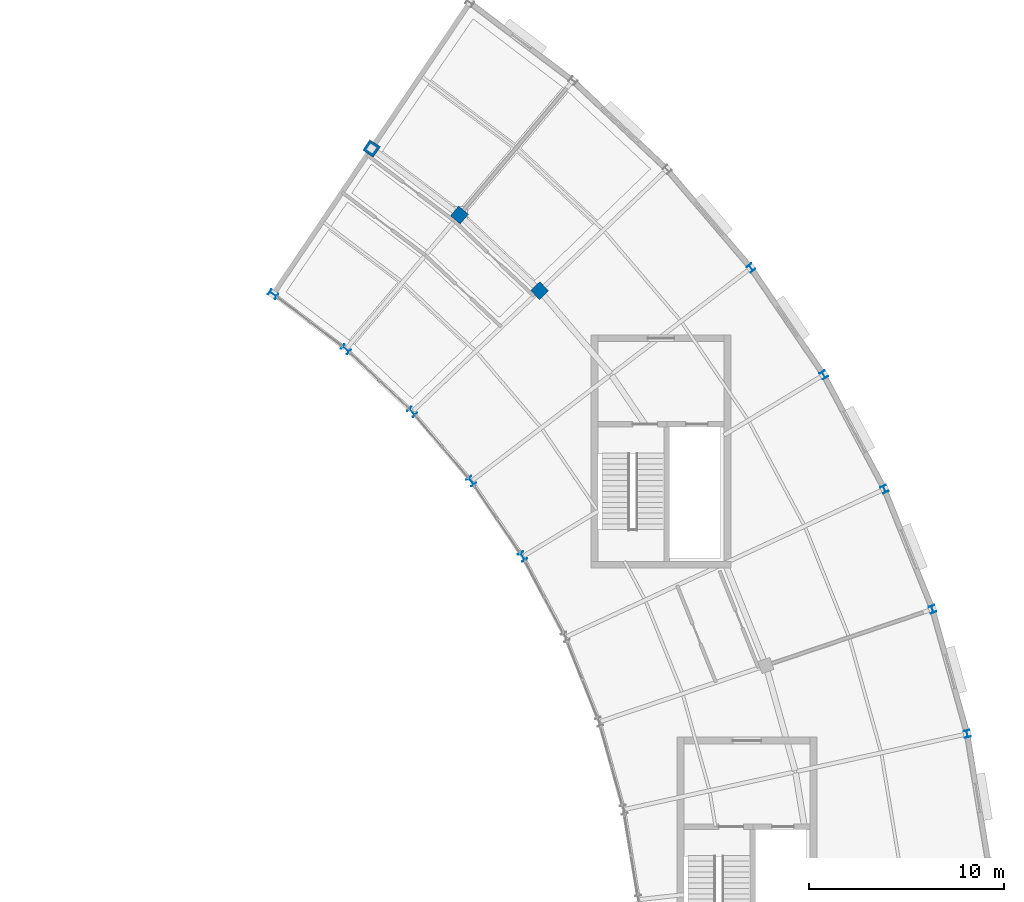
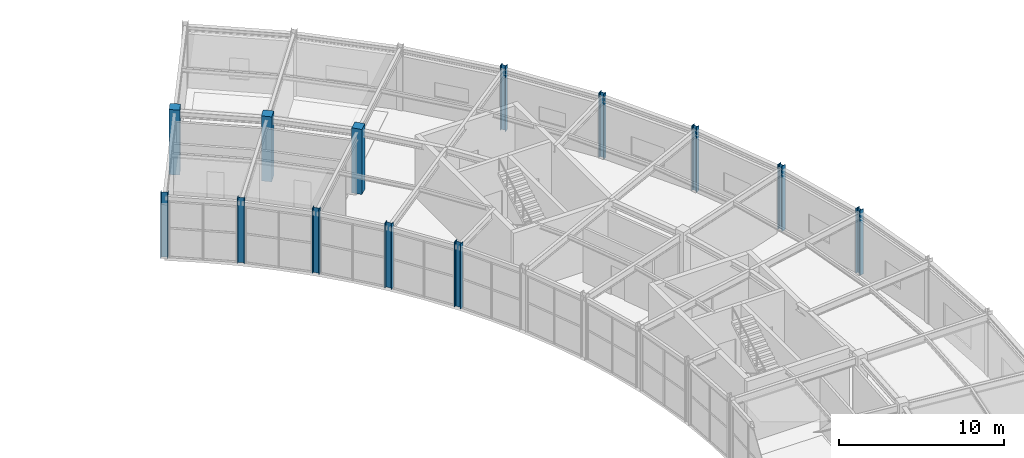
# One storey, part 14 of 108: 13 columns.
"""IFC4 building model written with IfcOpenShell, lengths in metres."""

from ifc_helpers import new_model, si_unit, direction, frame, origin, origin_2d, place, context, subcontext, project, spatial, rectangle, i_section, extrude, material, material_profile, profile_set, type_object, element, save


model = new_model("IFC4")

# Units and contexts
model_context = context("Model", 3, precision=1e-05, world=origin(), true_north=direction((0.0, 1.0)))
body_context = subcontext(model_context, "Body", "Model", "MODEL_VIEW")
ifc_project = project(units=[si_unit("LENGTHUNIT", "METRE"), si_unit("AREAUNIT", "SQUARE_METRE"), si_unit("VOLUMEUNIT", "CUBIC_METRE"), si_unit("PLANEANGLEUNIT", "RADIAN"), si_unit("MASSUNIT", "GRAM", prefix="KILO")], contexts=[model_context])

# Site, building, storey
site_placement = place(None, origin())
site = spatial("IfcSite", under=ifc_project, at=site_placement, CompositionType="ELEMENT")
building_placement = place(site_placement, origin())
building = spatial("IfcBuilding", under=site, at=building_placement, Name="Tarnveldt Headland Concert Hall", CompositionType="ELEMENT")
storey_placement = place(building_placement, frame((0.0, 0.0, 9.60009765625)))
storey = spatial("IfcBuildingStorey", under=building, at=storey_placement, Name="L02", CompositionType="ELEMENT", Elevation=9.60009765625)

# Columns
ifc_material_1 = material(Name="Concrete C40/50", Category="concrete")
ifc_material_profile_1 = material_profile(ifc_material_1, rectangle(XDim=0.64990234375, YDim=0.64990234375, at=origin_2d()), Name="RC 650x650", Category="concrete")
ifc_profile_set_1 = profile_set([ifc_material_profile_1], Name="Concrete C40/50")
column_type_1 = type_object("IfcColumnType", Name="CC-650", PredefinedType="COLUMN", material=ifc_profile_set_1)
for number, where, z_axis, x_axis, name in (
    (1, (155.184814453125, 95.8310546875, 0.0), (0.0, 0.0, 1.0), (0.724653130187, 0.689113808387, 0.0), "Column V3C16MD L02"),
    (2, (151.0791015625, 99.704345703125, 0.0), (0.0, 0.0, 1.0), (0.645724263505, 0.763570674869, 0.0), "Column V3C17MD L02"),
    (3, (146.577880859375, 103.110107421875, 0.0), (0.0, 0.0, 1.0), (0.559192903471, 0.829037572555, 0.0), "Column V3C18MD L02"),
):
    element("IfcColumn", number, at=place(storey_placement, frame(where, z_axis=z_axis, x_axis=x_axis)), inside=storey, type_object=column_type_1, Name=name, PredefinedType="COLUMN", context=body_context, shape_type="SweptSolid", body=[
        extrude(rectangle(XDim=0.64990234375, YDim=0.64990234375, at=origin_2d()), origin(), (0.0, 0.0, 1.0), 4.7998046875),
    ])
ifc_material_2 = material(Name="Steel S355", Category="steel")
ifc_material_profile_2 = material_profile(ifc_material_2, i_section(OverallWidth=0.300048828125, OverallDepth=0.360107421875, WebThickness=0.012451171875, FlangeThickness=0.0224609375, FilletRadius=0.027099609375, at=origin_2d()), Name="HEB360", Category="steel")
ifc_profile_set_2 = profile_set([ifc_material_profile_2], Name="Steel S355")
column_type_2 = type_object("IfcColumnType", Name="SC-HEB360", PredefinedType="COLUMN", material=ifc_profile_set_2)
for number, where, z_axis, x_axis, name in (
    (4, (177.06689453125, 73.14501953125, 0.0), (0.0, 0.0, 1.0), (0.976522126798, 0.215417120661, 0.0), "Column V3C11OUT L02"),
    (5, (175.291259765625, 79.523681640625, 0.0), (0.0, 0.0, 1.0), (0.947378020466, 0.320116988518, 0.0), "Column V3C12OUT L02"),
    (6, (172.834716796875, 85.672607421875, 0.0), (0.0, 0.0, 1.0), (0.907117485088, 0.42087749791, 0.0), "Column V3C13OUT L02"),
    (7, (169.726318359375, 91.518798828125, 0.0), (0.0, 0.0, 1.0), (0.856176919486, 0.516682767798, 0.0), "Column V3C14OUT L02"),
    (8, (166.00244140625, 96.993408203125, 0.0), (0.0, 0.0, 1.0), (0.795156077043, 0.60640482612, 0.0), "Column V3C15OUT L02"),
):
    element("IfcColumn", number, at=place(storey_placement, frame(where, z_axis=z_axis, x_axis=x_axis)), inside=storey, type_object=column_type_2, Name=name, PredefinedType="COLUMN", context=body_context, shape_type="SweptSolid", body=[
        extrude(i_section(OverallWidth=0.300048828125, OverallDepth=0.360107421875, WebThickness=0.012451171875, FlangeThickness=0.0224609375, FilletRadius=0.027099609375, at=origin_2d()), origin(), (0.0, 0.0, 1.0), 4.7998046875),
    ])
ifc_material_profile_3 = material_profile(ifc_material_2, i_section(OverallWidth=0.300048828125, OverallDepth=0.449951171875, WebThickness=0.013916015625, FlangeThickness=0.02587890625, FilletRadius=0.027099609375, at=origin_2d()), Name="HEB450", Category="steel")
ifc_profile_set_3 = profile_set([ifc_material_profile_3], Name="Steel S355")
column_type_3 = type_object("IfcColumnType", Name="SC-HEB450", PredefinedType="COLUMN", material=ifc_profile_set_3)
for number, where, z_axis, x_axis, name in (
    (9, (154.315185546875, 82.218017578125, 0.0), (0.0, 0.0, 1.0), (0.856176919486, 0.516682767798, 0.0), "Column V3C14IN L02"),
    (10, (151.690185546875, 86.077392578125, 0.0), (0.0, 0.0, 1.0), (0.795156077043, 0.60640482612, 0.0), "Column V3C15IN L02"),
    (11, (148.662353515625, 89.62939453125, 0.0), (0.0, 0.0, 1.0), (0.724653130187, 0.689113808387, 0.0), "Column V3C16IN L02"),
    (12, (145.267333984375, 92.83251953125, 0.0), (0.0, 0.0, 1.0), (0.645724263505, 0.763570674869, 0.0), "Column V3C17IN L02"),
    (13, (141.54541015625, 95.648681640625, 0.0), (0.0, 0.0, 1.0), (0.559192903471, 0.829037572555, 0.0), "Column V3C18IN L02"),
):
    element("IfcColumn", number, at=place(storey_placement, frame(where, z_axis=z_axis, x_axis=x_axis)), inside=storey, type_object=column_type_3, Name=name, PredefinedType="COLUMN", context=body_context, shape_type="SweptSolid", body=[
        extrude(i_section(OverallWidth=0.300048828125, OverallDepth=0.449951171875, WebThickness=0.013916015625, FlangeThickness=0.02587890625, FilletRadius=0.027099609375, at=origin_2d()), origin(), (0.0, 0.0, 1.0), 4.7998046875),
    ])

save(model, "model.ifc")
